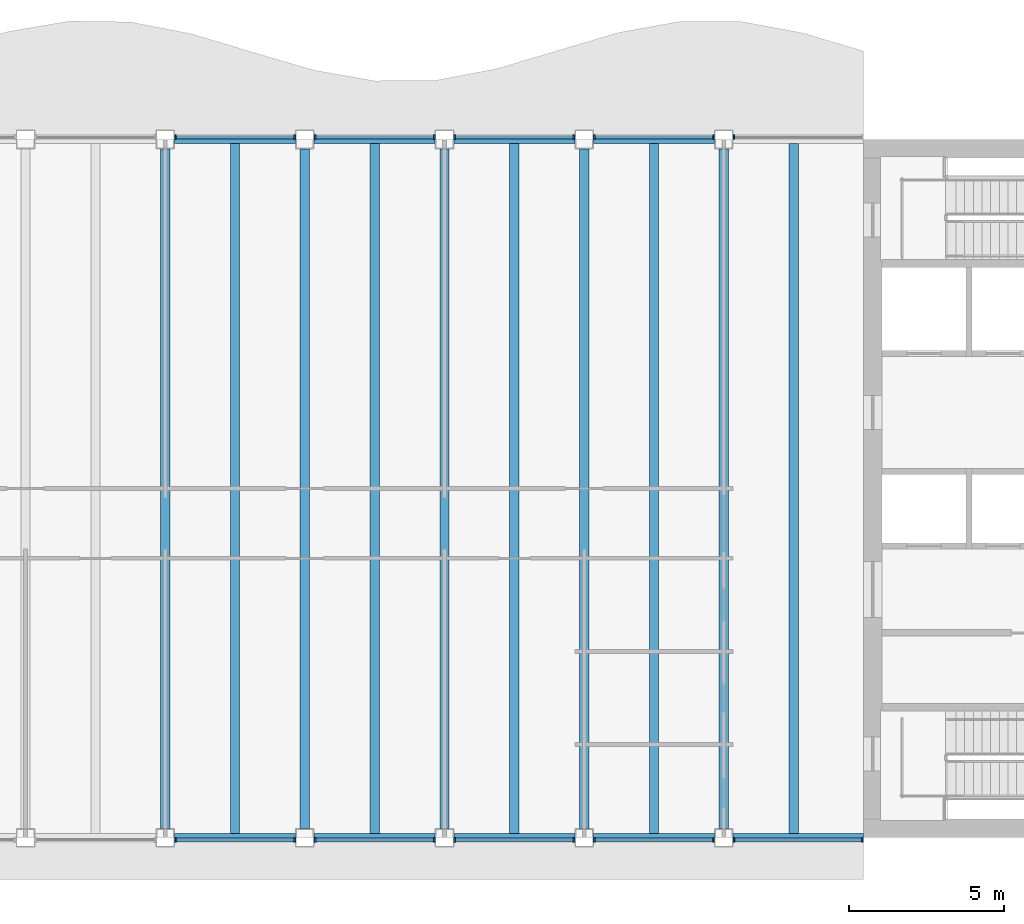
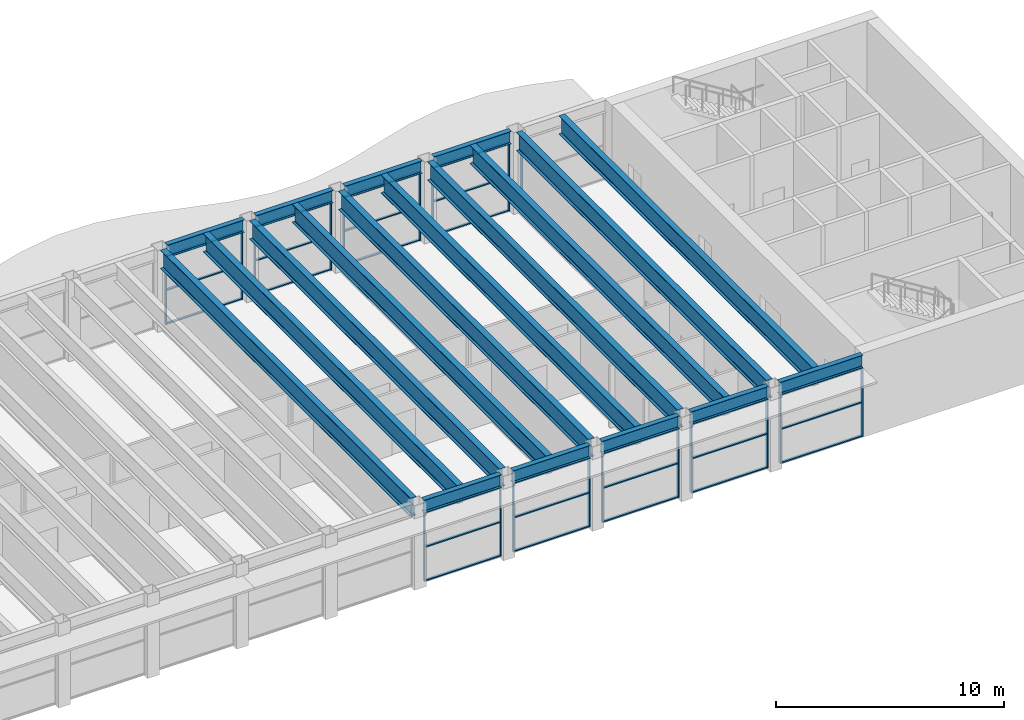
# One storey, part 5 of 14: 46 members, 19 beams, 10 elements without a shape of their own.
"""IFC4 building model written with IfcOpenShell, lengths in metres."""

from ifc_helpers import new_model, si_unit, direction, frame, origin, origin_2d, place, context, subcontext, project, spatial, rectangle, i_section, extrude, material, material_profile, profile_set, type_object, element, aggregate, save


model = new_model("IFC4")

# Units and contexts
model_context = context("Model", 3, precision=1e-05, world=origin(), true_north=direction((0.0, 1.0)))
body_context = subcontext(model_context, "Body", "Model", "MODEL_VIEW")
ifc_project = project(units=[si_unit("LENGTHUNIT", "METRE"), si_unit("AREAUNIT", "SQUARE_METRE"), si_unit("VOLUMEUNIT", "CUBIC_METRE"), si_unit("PLANEANGLEUNIT", "RADIAN"), si_unit("MASSUNIT", "GRAM", prefix="KILO")], contexts=[model_context])

# Site, building, storey
site_placement = place(None, origin())
site = spatial("IfcSite", under=ifc_project, at=site_placement, CompositionType="ELEMENT")
building_placement = place(site_placement, origin())
building = spatial("IfcBuilding", under=site, at=building_placement, Name="Sennacour Bend Tower", CompositionType="ELEMENT")
storey_placement = place(building_placement, frame((0.0, 0.0, 327.5)))
storey = spatial("IfcBuildingStorey", under=building, at=storey_placement, Name="L75", CompositionType="ELEMENT", Elevation=327.5)

# Curtain wall, members
ifc_material_1 = material(Name="Bronze anodised aluminium curtain wall with clear glass", Category="aluminium")
curtain_wall_type = type_object("IfcCurtainWallType", Name="CURTAIN WALL EXEC", PredefinedType="NOTDEFINED", material=ifc_material_1)
curtain_wall_1_placement = place(storey_placement, origin())
curtain_wall_1 = element("IfcCurtainWall", 1, at=curtain_wall_1_placement, inside=storey, type_object=curtain_wall_type, Name="Executive floor glass wall L75", PredefinedType="NOTDEFINED")
ifc_material_2 = material(Name="Aluminium 6063-T6", Category="aluminium")
ifc_material_profile_1 = material_profile(ifc_material_2, rectangle(XDim=0.14990234375, YDim=0.06005859375, at=origin_2d()), Name="Aluminium 6063-T6", Category="aluminium")
ifc_profile_set_1 = profile_set([ifc_material_profile_1], Name="Aluminium 6063-T6")
member_type_1 = type_object("IfcMemberType", Name="CW-MULLION-150X60", PredefinedType="MULLION", material=ifc_profile_set_1)
member_1_placement = place(storey_placement, frame((31.830078125, -0.074951171875, 0.0), z_axis=(0.0, 0.0, 1.0), x_axis=(0.0, 1.0, 0.0)))
member_1 = element("IfcMember", 2, at=member_1_placement, type_object=member_type_1, Name="GW3 curtain wall mullion 1", PredefinedType="MULLION", context=body_context, shape_type="SweptSolid", body=[
    extrude(rectangle(XDim=0.14990234375, YDim=0.06005859375, at=origin_2d()), origin(), (0.0, 0.0, 1.0), 3.672119140625),
])
member_2_placement = place(storey_placement, frame((35.669921875, -0.074951171875, 0.0), z_axis=(0.0, 0.0, 1.0), x_axis=(0.0, 1.0, 0.0)))
member_2 = element("IfcMember", 3, at=member_2_placement, type_object=member_type_1, Name="GW3 curtain wall mullion 2", PredefinedType="MULLION", context=body_context, shape_type="SweptSolid", body=[
    extrude(rectangle(XDim=0.14990234375, YDim=0.06005859375, at=origin_2d()), origin(), (0.0, 0.0, 1.0), 3.672119140625),
])

curtain_wall_2_placement = place(storey_placement, origin())
curtain_wall_2 = element("IfcCurtainWall", 4, at=curtain_wall_2_placement, inside=storey, type_object=curtain_wall_type, Name="Executive floor glass wall L75", PredefinedType="NOTDEFINED")
member_3_placement = place(storey_placement, frame((36.330078125, -0.074951171875, 0.0), z_axis=(0.0, 0.0, 1.0), x_axis=(0.0, 1.0, 0.0)))
member_3 = element("IfcMember", 5, at=member_3_placement, type_object=member_type_1, Name="GW3 curtain wall mullion 1", PredefinedType="MULLION", context=body_context, shape_type="SweptSolid", body=[
    extrude(rectangle(XDim=0.14990234375, YDim=0.06005859375, at=origin_2d()), origin(), (0.0, 0.0, 1.0), 3.672119140625),
])
member_4_placement = place(storey_placement, frame((40.169921875, -0.074951171875, 0.0), z_axis=(0.0, 0.0, 1.0), x_axis=(0.0, 1.0, 0.0)))
member_4 = element("IfcMember", 6, at=member_4_placement, type_object=member_type_1, Name="GW3 curtain wall mullion 2", PredefinedType="MULLION", context=body_context, shape_type="SweptSolid", body=[
    extrude(rectangle(XDim=0.14990234375, YDim=0.06005859375, at=origin_2d()), origin(), (0.0, 0.0, 1.0), 3.672119140625),
])

curtain_wall_3_placement = place(storey_placement, origin())
curtain_wall_3 = element("IfcCurtainWall", 7, at=curtain_wall_3_placement, inside=storey, type_object=curtain_wall_type, Name="Executive floor glass wall L75", PredefinedType="NOTDEFINED")
member_5_placement = place(storey_placement, frame((40.830078125, -0.074951171875, 0.0), z_axis=(0.0, 0.0, 1.0), x_axis=(0.0, 1.0, 0.0)))
member_5 = element("IfcMember", 8, at=member_5_placement, type_object=member_type_1, Name="GW3 curtain wall mullion 1", PredefinedType="MULLION", context=body_context, shape_type="SweptSolid", body=[
    extrude(rectangle(XDim=0.14990234375, YDim=0.06005859375, at=origin_2d()), origin(), (0.0, 0.0, 1.0), 3.672119140625),
])
member_6_placement = place(storey_placement, frame((44.669921875, -0.074951171875, 0.0), z_axis=(0.0, 0.0, 1.0), x_axis=(0.0, 1.0, 0.0)))
member_6 = element("IfcMember", 9, at=member_6_placement, type_object=member_type_1, Name="GW3 curtain wall mullion 2", PredefinedType="MULLION", context=body_context, shape_type="SweptSolid", body=[
    extrude(rectangle(XDim=0.14990234375, YDim=0.06005859375, at=origin_2d()), origin(), (0.0, 0.0, 1.0), 3.672119140625),
])

curtain_wall_4_placement = place(storey_placement, origin())
curtain_wall_4 = element("IfcCurtainWall", 10, at=curtain_wall_4_placement, inside=storey, type_object=curtain_wall_type, Name="Executive floor glass wall L75", PredefinedType="NOTDEFINED")
member_7_placement = place(storey_placement, frame((45.330078125, -0.074951171875, 0.0), z_axis=(0.0, 0.0, 1.0), x_axis=(0.0, 1.0, 0.0)))
member_7 = element("IfcMember", 11, at=member_7_placement, type_object=member_type_1, Name="GW3 curtain wall mullion 1", PredefinedType="MULLION", context=body_context, shape_type="SweptSolid", body=[
    extrude(rectangle(XDim=0.14990234375, YDim=0.06005859375, at=origin_2d()), origin(), (0.0, 0.0, 1.0), 3.672119140625),
])
member_8_placement = place(storey_placement, frame((49.169921875, -0.074951171875, 0.0), z_axis=(0.0, 0.0, 1.0), x_axis=(0.0, 1.0, 0.0)))
member_8 = element("IfcMember", 12, at=member_8_placement, type_object=member_type_1, Name="GW3 curtain wall mullion 2", PredefinedType="MULLION", context=body_context, shape_type="SweptSolid", body=[
    extrude(rectangle(XDim=0.14990234375, YDim=0.06005859375, at=origin_2d()), origin(), (0.0, 0.0, 1.0), 3.672119140625),
])

curtain_wall_5_placement = place(storey_placement, origin())
curtain_wall_5 = element("IfcCurtainWall", 13, at=curtain_wall_5_placement, inside=storey, type_object=curtain_wall_type, Name="Executive floor glass wall L75", PredefinedType="NOTDEFINED")
member_9_placement = place(storey_placement, frame((49.830078125, -0.074951171875, 0.0), z_axis=(0.0, 0.0, 1.0), x_axis=(0.0, 1.0, 0.0)))
member_9 = element("IfcMember", 14, at=member_9_placement, type_object=member_type_1, Name="GW3 curtain wall mullion 1", PredefinedType="MULLION", context=body_context, shape_type="SweptSolid", body=[
    extrude(rectangle(XDim=0.14990234375, YDim=0.06005859375, at=origin_2d()), origin(), (0.0, 0.0, 1.0), 3.672119140625),
])
member_10_placement = place(storey_placement, frame((53.969970703125, -0.074951171875, 0.0), z_axis=(0.0, 0.0, 1.0), x_axis=(0.0, 1.0, 0.0)))
member_10 = element("IfcMember", 15, at=member_10_placement, type_object=member_type_1, Name="GW3 curtain wall mullion 2", PredefinedType="MULLION", context=body_context, shape_type="SweptSolid", body=[
    extrude(rectangle(XDim=0.14990234375, YDim=0.06005859375, at=origin_2d()), origin(), (0.0, 0.0, 1.0), 3.672119140625),
])

# Curtain wall, member
curtain_wall_6_placement = place(storey_placement, origin())
curtain_wall_6 = element("IfcCurtainWall", 16, at=curtain_wall_6_placement, inside=storey, type_object=curtain_wall_type, Name="Executive floor glass wall L75", PredefinedType="NOTDEFINED")
member_11_placement = place(storey_placement, frame((49.830078125, 22.574951171875, 0.0), z_axis=(0.0, 0.0, 1.0), x_axis=(0.0, -1.0, 0.0)))
member_11 = element("IfcMember", 17, at=member_11_placement, type_object=member_type_1, Name="GW3 curtain wall mullion 2", PredefinedType="MULLION", context=body_context, shape_type="SweptSolid", body=[
    extrude(rectangle(XDim=0.14990234375, YDim=0.06005859375, at=origin_2d()), origin(), (0.0, 0.0, 1.0), 3.672119140625),
])
aggregate(curtain_wall_6, [member_11])

# Curtain wall, members
curtain_wall_7_placement = place(storey_placement, origin())
curtain_wall_7 = element("IfcCurtainWall", 18, at=curtain_wall_7_placement, inside=storey, type_object=curtain_wall_type, Name="Executive floor glass wall L75", PredefinedType="NOTDEFINED")
member_12_placement = place(storey_placement, frame((49.169921875, 22.574951171875, 0.0), z_axis=(0.0, 0.0, 1.0), x_axis=(0.0, -1.0, 0.0)))
member_12 = element("IfcMember", 19, at=member_12_placement, type_object=member_type_1, Name="GW3 curtain wall mullion 1", PredefinedType="MULLION", context=body_context, shape_type="SweptSolid", body=[
    extrude(rectangle(XDim=0.14990234375, YDim=0.06005859375, at=origin_2d()), origin(), (0.0, 0.0, 1.0), 3.672119140625),
])
member_13_placement = place(storey_placement, frame((45.330078125, 22.574951171875, 0.0), z_axis=(0.0, 0.0, 1.0), x_axis=(0.0, -1.0, 0.0)))
member_13 = element("IfcMember", 20, at=member_13_placement, type_object=member_type_1, Name="GW3 curtain wall mullion 2", PredefinedType="MULLION", context=body_context, shape_type="SweptSolid", body=[
    extrude(rectangle(XDim=0.14990234375, YDim=0.06005859375, at=origin_2d()), origin(), (0.0, 0.0, 1.0), 3.672119140625),
])

curtain_wall_8_placement = place(storey_placement, origin())
curtain_wall_8 = element("IfcCurtainWall", 21, at=curtain_wall_8_placement, inside=storey, type_object=curtain_wall_type, Name="Executive floor glass wall L75", PredefinedType="NOTDEFINED")
member_14_placement = place(storey_placement, frame((44.669921875, 22.574951171875, 0.0), z_axis=(0.0, 0.0, 1.0), x_axis=(0.0, -1.0, 0.0)))
member_14 = element("IfcMember", 22, at=member_14_placement, type_object=member_type_1, Name="GW3 curtain wall mullion 1", PredefinedType="MULLION", context=body_context, shape_type="SweptSolid", body=[
    extrude(rectangle(XDim=0.14990234375, YDim=0.06005859375, at=origin_2d()), origin(), (0.0, 0.0, 1.0), 3.672119140625),
])
member_15_placement = place(storey_placement, frame((40.830078125, 22.574951171875, 0.0), z_axis=(0.0, 0.0, 1.0), x_axis=(0.0, -1.0, 0.0)))
member_15 = element("IfcMember", 23, at=member_15_placement, type_object=member_type_1, Name="GW3 curtain wall mullion 2", PredefinedType="MULLION", context=body_context, shape_type="SweptSolid", body=[
    extrude(rectangle(XDim=0.14990234375, YDim=0.06005859375, at=origin_2d()), origin(), (0.0, 0.0, 1.0), 3.672119140625),
])

curtain_wall_9_placement = place(storey_placement, origin())
curtain_wall_9 = element("IfcCurtainWall", 24, at=curtain_wall_9_placement, inside=storey, type_object=curtain_wall_type, Name="Executive floor glass wall L75", PredefinedType="NOTDEFINED")
member_16_placement = place(storey_placement, frame((40.169921875, 22.574951171875, 0.0), z_axis=(0.0, 0.0, 1.0), x_axis=(0.0, -1.0, 0.0)))
member_16 = element("IfcMember", 25, at=member_16_placement, type_object=member_type_1, Name="GW3 curtain wall mullion 1", PredefinedType="MULLION", context=body_context, shape_type="SweptSolid", body=[
    extrude(rectangle(XDim=0.14990234375, YDim=0.06005859375, at=origin_2d()), origin(), (0.0, 0.0, 1.0), 3.672119140625),
])
member_17_placement = place(storey_placement, frame((36.330078125, 22.574951171875, 0.0), z_axis=(0.0, 0.0, 1.0), x_axis=(0.0, -1.0, 0.0)))
member_17 = element("IfcMember", 26, at=member_17_placement, type_object=member_type_1, Name="GW3 curtain wall mullion 2", PredefinedType="MULLION", context=body_context, shape_type="SweptSolid", body=[
    extrude(rectangle(XDim=0.14990234375, YDim=0.06005859375, at=origin_2d()), origin(), (0.0, 0.0, 1.0), 3.672119140625),
])

curtain_wall_10_placement = place(storey_placement, origin())
curtain_wall_10 = element("IfcCurtainWall", 27, at=curtain_wall_10_placement, inside=storey, type_object=curtain_wall_type, Name="Executive floor glass wall L75", PredefinedType="NOTDEFINED")
member_18_placement = place(storey_placement, frame((35.669921875, 22.574951171875, 0.0), z_axis=(0.0, 0.0, 1.0), x_axis=(0.0, -1.0, 0.0)))
member_18 = element("IfcMember", 28, at=member_18_placement, type_object=member_type_1, Name="GW3 curtain wall mullion 1", PredefinedType="MULLION", context=body_context, shape_type="SweptSolid", body=[
    extrude(rectangle(XDim=0.14990234375, YDim=0.06005859375, at=origin_2d()), origin(), (0.0, 0.0, 1.0), 3.672119140625),
])
member_19_placement = place(storey_placement, frame((31.830078125, 22.574951171875, 0.0), z_axis=(0.0, 0.0, 1.0), x_axis=(0.0, -1.0, 0.0)))
member_19 = element("IfcMember", 29, at=member_19_placement, type_object=member_type_1, Name="GW3 curtain wall mullion 2", PredefinedType="MULLION", context=body_context, shape_type="SweptSolid", body=[
    extrude(rectangle(XDim=0.14990234375, YDim=0.06005859375, at=origin_2d()), origin(), (0.0, 0.0, 1.0), 3.672119140625),
])

# Member
ifc_material_profile_2 = material_profile(ifc_material_2, rectangle(XDim=0.1201171875, YDim=0.06005859375, at=origin_2d()), Name="Aluminium 6063-T6", Category="aluminium")
ifc_profile_set_2 = profile_set([ifc_material_profile_2], Name="Aluminium 6063-T6")
member_type_2 = type_object("IfcMemberType", Name="CW-TRANSOM-120X60", PredefinedType="USERDEFINED", material=ifc_profile_set_2)
member_20_placement = place(storey_placement, frame((31.860107421875, -0.074951171875, 0.030029296875), z_axis=(1.0, 0.0, 0.0), x_axis=(0.0, 1.0, 0.0)))
member_20 = element("IfcMember", 30, at=member_20_placement, type_object=member_type_2, Name="GW3 curtain wall transom 1.1", ObjectType="TRANSOM", PredefinedType="USERDEFINED", context=body_context, shape_type="SweptSolid", body=[
    extrude(rectangle(XDim=0.1201171875, YDim=0.06005859375, at=origin_2d()), origin(), (0.0, 0.0, 1.0), 3.77978515625),
])

member_21_placement = place(storey_placement, frame((31.860107421875, -0.074951171875, 1.8359375), z_axis=(1.0, 0.0, 0.0), x_axis=(0.0, 1.0, 0.0)))
member_21 = element("IfcMember", 31, at=member_21_placement, type_object=member_type_2, Name="GW3 curtain wall transom 1.2", ObjectType="TRANSOM", PredefinedType="USERDEFINED", context=body_context, shape_type="SweptSolid", body=[
    extrude(rectangle(XDim=0.1201171875, YDim=0.06005859375, at=origin_2d()), origin(), (0.0, 0.0, 1.0), 3.77978515625),
])

member_22_placement = place(storey_placement, frame((31.860107421875, -0.074951171875, 3.64208984375), z_axis=(1.0, 0.0, 0.0), x_axis=(0.0, 1.0, 0.0)))
member_22 = element("IfcMember", 32, at=member_22_placement, type_object=member_type_2, Name="GW3 curtain wall transom 1.3", ObjectType="TRANSOM", PredefinedType="USERDEFINED", context=body_context, shape_type="SweptSolid", body=[
    extrude(rectangle(XDim=0.1201171875, YDim=0.06005859375, at=origin_2d()), origin(), (0.0, 0.0, 1.0), 3.77978515625),
])

aggregate(curtain_wall_1, [member_1, member_2, member_20, member_21, member_22])

member_23_placement = place(storey_placement, frame((36.360107421875, -0.074951171875, 0.030029296875), z_axis=(1.0, 0.0, 0.0), x_axis=(0.0, 1.0, 0.0)))
member_23 = element("IfcMember", 33, at=member_23_placement, type_object=member_type_2, Name="GW3 curtain wall transom 1.1", ObjectType="TRANSOM", PredefinedType="USERDEFINED", context=body_context, shape_type="SweptSolid", body=[
    extrude(rectangle(XDim=0.1201171875, YDim=0.06005859375, at=origin_2d()), origin(), (0.0, 0.0, 1.0), 3.77978515625),
])

member_24_placement = place(storey_placement, frame((36.360107421875, -0.074951171875, 1.8359375), z_axis=(1.0, 0.0, 0.0), x_axis=(0.0, 1.0, 0.0)))
member_24 = element("IfcMember", 34, at=member_24_placement, type_object=member_type_2, Name="GW3 curtain wall transom 1.2", ObjectType="TRANSOM", PredefinedType="USERDEFINED", context=body_context, shape_type="SweptSolid", body=[
    extrude(rectangle(XDim=0.1201171875, YDim=0.06005859375, at=origin_2d()), origin(), (0.0, 0.0, 1.0), 3.77978515625),
])

member_25_placement = place(storey_placement, frame((36.360107421875, -0.074951171875, 3.64208984375), z_axis=(1.0, 0.0, 0.0), x_axis=(0.0, 1.0, 0.0)))
member_25 = element("IfcMember", 35, at=member_25_placement, type_object=member_type_2, Name="GW3 curtain wall transom 1.3", ObjectType="TRANSOM", PredefinedType="USERDEFINED", context=body_context, shape_type="SweptSolid", body=[
    extrude(rectangle(XDim=0.1201171875, YDim=0.06005859375, at=origin_2d()), origin(), (0.0, 0.0, 1.0), 3.77978515625),
])

aggregate(curtain_wall_2, [member_3, member_4, member_23, member_24, member_25])

member_26_placement = place(storey_placement, frame((40.860107421875, -0.074951171875, 0.030029296875), z_axis=(1.0, 0.0, 0.0), x_axis=(0.0, 1.0, 0.0)))
member_26 = element("IfcMember", 36, at=member_26_placement, type_object=member_type_2, Name="GW3 curtain wall transom 1.1", ObjectType="TRANSOM", PredefinedType="USERDEFINED", context=body_context, shape_type="SweptSolid", body=[
    extrude(rectangle(XDim=0.1201171875, YDim=0.06005859375, at=origin_2d()), origin(), (0.0, 0.0, 1.0), 3.77978515625),
])

member_27_placement = place(storey_placement, frame((40.860107421875, -0.074951171875, 1.8359375), z_axis=(1.0, 0.0, 0.0), x_axis=(0.0, 1.0, 0.0)))
member_27 = element("IfcMember", 37, at=member_27_placement, type_object=member_type_2, Name="GW3 curtain wall transom 1.2", ObjectType="TRANSOM", PredefinedType="USERDEFINED", context=body_context, shape_type="SweptSolid", body=[
    extrude(rectangle(XDim=0.1201171875, YDim=0.06005859375, at=origin_2d()), origin(), (0.0, 0.0, 1.0), 3.77978515625),
])

member_28_placement = place(storey_placement, frame((40.860107421875, -0.074951171875, 3.64208984375), z_axis=(1.0, 0.0, 0.0), x_axis=(0.0, 1.0, 0.0)))
member_28 = element("IfcMember", 38, at=member_28_placement, type_object=member_type_2, Name="GW3 curtain wall transom 1.3", ObjectType="TRANSOM", PredefinedType="USERDEFINED", context=body_context, shape_type="SweptSolid", body=[
    extrude(rectangle(XDim=0.1201171875, YDim=0.06005859375, at=origin_2d()), origin(), (0.0, 0.0, 1.0), 3.77978515625),
])

aggregate(curtain_wall_3, [member_5, member_6, member_26, member_27, member_28])

member_29_placement = place(storey_placement, frame((45.360107421875, -0.074951171875, 0.030029296875), z_axis=(1.0, 0.0, 0.0), x_axis=(0.0, 1.0, 0.0)))
member_29 = element("IfcMember", 39, at=member_29_placement, type_object=member_type_2, Name="GW3 curtain wall transom 1.1", ObjectType="TRANSOM", PredefinedType="USERDEFINED", context=body_context, shape_type="SweptSolid", body=[
    extrude(rectangle(XDim=0.1201171875, YDim=0.06005859375, at=origin_2d()), origin(), (0.0, 0.0, 1.0), 3.77978515625),
])

member_30_placement = place(storey_placement, frame((45.360107421875, -0.074951171875, 1.8359375), z_axis=(1.0, 0.0, 0.0), x_axis=(0.0, 1.0, 0.0)))
member_30 = element("IfcMember", 40, at=member_30_placement, type_object=member_type_2, Name="GW3 curtain wall transom 1.2", ObjectType="TRANSOM", PredefinedType="USERDEFINED", context=body_context, shape_type="SweptSolid", body=[
    extrude(rectangle(XDim=0.1201171875, YDim=0.06005859375, at=origin_2d()), origin(), (0.0, 0.0, 1.0), 3.77978515625),
])

member_31_placement = place(storey_placement, frame((45.360107421875, -0.074951171875, 3.64208984375), z_axis=(1.0, 0.0, 0.0), x_axis=(0.0, 1.0, 0.0)))
member_31 = element("IfcMember", 41, at=member_31_placement, type_object=member_type_2, Name="GW3 curtain wall transom 1.3", ObjectType="TRANSOM", PredefinedType="USERDEFINED", context=body_context, shape_type="SweptSolid", body=[
    extrude(rectangle(XDim=0.1201171875, YDim=0.06005859375, at=origin_2d()), origin(), (0.0, 0.0, 1.0), 3.77978515625),
])

aggregate(curtain_wall_4, [member_7, member_8, member_29, member_30, member_31])

member_32_placement = place(storey_placement, frame((49.860107421875, -0.074951171875, 0.030029296875), z_axis=(1.0, 0.0, 0.0), x_axis=(0.0, 1.0, 0.0)))
member_32 = element("IfcMember", 42, at=member_32_placement, type_object=member_type_2, Name="GW3 curtain wall transom 1.1", ObjectType="TRANSOM", PredefinedType="USERDEFINED", context=body_context, shape_type="SweptSolid", body=[
    extrude(rectangle(XDim=0.1201171875, YDim=0.06005859375, at=origin_2d()), origin(), (0.0, 0.0, 1.0), 4.079833984375),
])

member_33_placement = place(storey_placement, frame((49.860107421875, -0.074951171875, 1.8359375), z_axis=(1.0, 0.0, 0.0), x_axis=(0.0, 1.0, 0.0)))
member_33 = element("IfcMember", 43, at=member_33_placement, type_object=member_type_2, Name="GW3 curtain wall transom 1.2", ObjectType="TRANSOM", PredefinedType="USERDEFINED", context=body_context, shape_type="SweptSolid", body=[
    extrude(rectangle(XDim=0.1201171875, YDim=0.06005859375, at=origin_2d()), origin(), (0.0, 0.0, 1.0), 4.079833984375),
])

member_34_placement = place(storey_placement, frame((49.860107421875, -0.074951171875, 3.64208984375), z_axis=(1.0, 0.0, 0.0), x_axis=(0.0, 1.0, 0.0)))
member_34 = element("IfcMember", 44, at=member_34_placement, type_object=member_type_2, Name="GW3 curtain wall transom 1.3", ObjectType="TRANSOM", PredefinedType="USERDEFINED", context=body_context, shape_type="SweptSolid", body=[
    extrude(rectangle(XDim=0.1201171875, YDim=0.06005859375, at=origin_2d()), origin(), (0.0, 0.0, 1.0), 4.079833984375),
])

aggregate(curtain_wall_5, [member_9, member_10, member_32, member_33, member_34])

member_35_placement = place(storey_placement, frame((49.139892578125, 22.574951171875, 0.030029296875), z_axis=(-1.0, 0.0, 0.0), x_axis=(0.0, -1.0, 0.0)))
member_35 = element("IfcMember", 45, at=member_35_placement, type_object=member_type_2, Name="GW3 curtain wall transom 1.1", ObjectType="TRANSOM", PredefinedType="USERDEFINED", context=body_context, shape_type="SweptSolid", body=[
    extrude(rectangle(XDim=0.1201171875, YDim=0.06005859375, at=origin_2d()), origin(), (0.0, 0.0, 1.0), 3.77978515625),
])

member_36_placement = place(storey_placement, frame((49.139892578125, 22.574951171875, 1.8359375), z_axis=(-1.0, 0.0, 0.0), x_axis=(0.0, -1.0, 0.0)))
member_36 = element("IfcMember", 46, at=member_36_placement, type_object=member_type_2, Name="GW3 curtain wall transom 1.2", ObjectType="TRANSOM", PredefinedType="USERDEFINED", context=body_context, shape_type="SweptSolid", body=[
    extrude(rectangle(XDim=0.1201171875, YDim=0.06005859375, at=origin_2d()), origin(), (0.0, 0.0, 1.0), 3.77978515625),
])

member_37_placement = place(storey_placement, frame((49.139892578125, 22.574951171875, 3.64208984375), z_axis=(-1.0, 0.0, 0.0), x_axis=(0.0, -1.0, 0.0)))
member_37 = element("IfcMember", 47, at=member_37_placement, type_object=member_type_2, Name="GW3 curtain wall transom 1.3", ObjectType="TRANSOM", PredefinedType="USERDEFINED", context=body_context, shape_type="SweptSolid", body=[
    extrude(rectangle(XDim=0.1201171875, YDim=0.06005859375, at=origin_2d()), origin(), (0.0, 0.0, 1.0), 3.77978515625),
])

aggregate(curtain_wall_7, [member_12, member_13, member_35, member_36, member_37])

member_38_placement = place(storey_placement, frame((44.639892578125, 22.574951171875, 0.030029296875), z_axis=(-1.0, 0.0, 0.0), x_axis=(0.0, -1.0, 0.0)))
member_38 = element("IfcMember", 48, at=member_38_placement, type_object=member_type_2, Name="GW3 curtain wall transom 1.1", ObjectType="TRANSOM", PredefinedType="USERDEFINED", context=body_context, shape_type="SweptSolid", body=[
    extrude(rectangle(XDim=0.1201171875, YDim=0.06005859375, at=origin_2d()), origin(), (0.0, 0.0, 1.0), 3.77978515625),
])

member_39_placement = place(storey_placement, frame((44.639892578125, 22.574951171875, 1.8359375), z_axis=(-1.0, 0.0, 0.0), x_axis=(0.0, -1.0, 0.0)))
member_39 = element("IfcMember", 49, at=member_39_placement, type_object=member_type_2, Name="GW3 curtain wall transom 1.2", ObjectType="TRANSOM", PredefinedType="USERDEFINED", context=body_context, shape_type="SweptSolid", body=[
    extrude(rectangle(XDim=0.1201171875, YDim=0.06005859375, at=origin_2d()), origin(), (0.0, 0.0, 1.0), 3.77978515625),
])

member_40_placement = place(storey_placement, frame((44.639892578125, 22.574951171875, 3.64208984375), z_axis=(-1.0, 0.0, 0.0), x_axis=(0.0, -1.0, 0.0)))
member_40 = element("IfcMember", 50, at=member_40_placement, type_object=member_type_2, Name="GW3 curtain wall transom 1.3", ObjectType="TRANSOM", PredefinedType="USERDEFINED", context=body_context, shape_type="SweptSolid", body=[
    extrude(rectangle(XDim=0.1201171875, YDim=0.06005859375, at=origin_2d()), origin(), (0.0, 0.0, 1.0), 3.77978515625),
])

aggregate(curtain_wall_8, [member_14, member_15, member_38, member_39, member_40])

member_41_placement = place(storey_placement, frame((40.139892578125, 22.574951171875, 0.030029296875), z_axis=(-1.0, 0.0, 0.0), x_axis=(0.0, -1.0, 0.0)))
member_41 = element("IfcMember", 51, at=member_41_placement, type_object=member_type_2, Name="GW3 curtain wall transom 1.1", ObjectType="TRANSOM", PredefinedType="USERDEFINED", context=body_context, shape_type="SweptSolid", body=[
    extrude(rectangle(XDim=0.1201171875, YDim=0.06005859375, at=origin_2d()), origin(), (0.0, 0.0, 1.0), 3.77978515625),
])

member_42_placement = place(storey_placement, frame((40.139892578125, 22.574951171875, 1.8359375), z_axis=(-1.0, 0.0, 0.0), x_axis=(0.0, -1.0, 0.0)))
member_42 = element("IfcMember", 52, at=member_42_placement, type_object=member_type_2, Name="GW3 curtain wall transom 1.2", ObjectType="TRANSOM", PredefinedType="USERDEFINED", context=body_context, shape_type="SweptSolid", body=[
    extrude(rectangle(XDim=0.1201171875, YDim=0.06005859375, at=origin_2d()), origin(), (0.0, 0.0, 1.0), 3.77978515625),
])

member_43_placement = place(storey_placement, frame((40.139892578125, 22.574951171875, 3.64208984375), z_axis=(-1.0, 0.0, 0.0), x_axis=(0.0, -1.0, 0.0)))
member_43 = element("IfcMember", 53, at=member_43_placement, type_object=member_type_2, Name="GW3 curtain wall transom 1.3", ObjectType="TRANSOM", PredefinedType="USERDEFINED", context=body_context, shape_type="SweptSolid", body=[
    extrude(rectangle(XDim=0.1201171875, YDim=0.06005859375, at=origin_2d()), origin(), (0.0, 0.0, 1.0), 3.77978515625),
])

aggregate(curtain_wall_9, [member_16, member_17, member_41, member_42, member_43])

member_44_placement = place(storey_placement, frame((35.639892578125, 22.574951171875, 0.030029296875), z_axis=(-1.0, 0.0, 0.0), x_axis=(0.0, -1.0, 0.0)))
member_44 = element("IfcMember", 54, at=member_44_placement, type_object=member_type_2, Name="GW3 curtain wall transom 1.1", ObjectType="TRANSOM", PredefinedType="USERDEFINED", context=body_context, shape_type="SweptSolid", body=[
    extrude(rectangle(XDim=0.1201171875, YDim=0.06005859375, at=origin_2d()), origin(), (0.0, 0.0, 1.0), 3.77978515625),
])

member_45_placement = place(storey_placement, frame((35.639892578125, 22.574951171875, 1.8359375), z_axis=(-1.0, 0.0, 0.0), x_axis=(0.0, -1.0, 0.0)))
member_45 = element("IfcMember", 55, at=member_45_placement, type_object=member_type_2, Name="GW3 curtain wall transom 1.2", ObjectType="TRANSOM", PredefinedType="USERDEFINED", context=body_context, shape_type="SweptSolid", body=[
    extrude(rectangle(XDim=0.1201171875, YDim=0.06005859375, at=origin_2d()), origin(), (0.0, 0.0, 1.0), 3.77978515625),
])

member_46_placement = place(storey_placement, frame((35.639892578125, 22.574951171875, 3.64208984375), z_axis=(-1.0, 0.0, 0.0), x_axis=(0.0, -1.0, 0.0)))
member_46 = element("IfcMember", 56, at=member_46_placement, type_object=member_type_2, Name="GW3 curtain wall transom 1.3", ObjectType="TRANSOM", PredefinedType="USERDEFINED", context=body_context, shape_type="SweptSolid", body=[
    extrude(rectangle(XDim=0.1201171875, YDim=0.06005859375, at=origin_2d()), origin(), (0.0, 0.0, 1.0), 3.77978515625),
])

aggregate(curtain_wall_10, [member_18, member_19, member_44, member_45, member_46])

# Beams
ifc_material_3 = material(Name="Steel ASTM A992 Grade 50", Category="steel")
ifc_material_profile_3 = material_profile(ifc_material_3, i_section(OverallWidth=0.300048828125, OverallDepth=0.990966796875, WebThickness=0.0166015625, FlangeThickness=0.030517578125, FilletRadius=0.030029296875, at=origin_2d()), Name="Steel ASTM A992 Grade 50", Category="steel")
ifc_profile_set_3 = profile_set([ifc_material_profile_3], Name="Steel ASTM A992 Grade 50")
beam_type_1 = type_object("IfcBeamType", Name="Floor beam W1000X272", PredefinedType="BEAM", material=ifc_profile_set_3)
beam_1_placement = place(storey_placement, frame((31.5, 0.300048828125, 3.8544921875), z_axis=(0.0, 1.0, 0.0), x_axis=(-1.0, 0.0, 0.0)))
element("IfcBeam", 57, at=beam_1_placement, inside=storey, type_object=beam_type_1, Name="Floor beam FBM3 L76-014", PredefinedType="BEAM", context=body_context, shape_type="SweptSolid", body=[
    extrude(i_section(OverallWidth=0.300048828125, OverallDepth=0.990966796875, WebThickness=0.0166015625, FlangeThickness=0.030517578125, FilletRadius=0.030029296875, at=origin_2d()), origin(), (0.0, 0.0, 1.0), 21.89990234375),
])
beam_2_placement = place(storey_placement, frame((33.75, 0.126953125, 3.8544921875), z_axis=(0.0, 1.0, 0.0), x_axis=(-1.0, 0.0, 0.0)))
element("IfcBeam", 58, at=beam_2_placement, inside=storey, type_object=beam_type_1, Name="Floor beam FBM3 L76-015", PredefinedType="BEAM", context=body_context, shape_type="SweptSolid", body=[
    extrude(i_section(OverallWidth=0.300048828125, OverallDepth=0.990966796875, WebThickness=0.0166015625, FlangeThickness=0.030517578125, FilletRadius=0.030029296875, at=origin_2d()), origin(), (0.0, 0.0, 1.0), 22.24609375),
])
beam_3_placement = place(storey_placement, frame((36.0, 0.300048828125, 3.8544921875), z_axis=(0.0, 1.0, 0.0), x_axis=(-1.0, 0.0, 0.0)))
element("IfcBeam", 59, at=beam_3_placement, inside=storey, type_object=beam_type_1, Name="Floor beam FBM3 L76-016", PredefinedType="BEAM", context=body_context, shape_type="SweptSolid", body=[
    extrude(i_section(OverallWidth=0.300048828125, OverallDepth=0.990966796875, WebThickness=0.0166015625, FlangeThickness=0.030517578125, FilletRadius=0.030029296875, at=origin_2d()), origin(), (0.0, 0.0, 1.0), 21.89990234375),
])
beam_4_placement = place(storey_placement, frame((38.25, 0.126953125, 3.8544921875), z_axis=(0.0, 1.0, 0.0), x_axis=(-1.0, 0.0, 0.0)))
element("IfcBeam", 60, at=beam_4_placement, inside=storey, type_object=beam_type_1, Name="Floor beam FBM3 L76-017", PredefinedType="BEAM", context=body_context, shape_type="SweptSolid", body=[
    extrude(i_section(OverallWidth=0.300048828125, OverallDepth=0.990966796875, WebThickness=0.0166015625, FlangeThickness=0.030517578125, FilletRadius=0.030029296875, at=origin_2d()), origin(), (0.0, 0.0, 1.0), 22.24609375),
])
beam_5_placement = place(storey_placement, frame((40.5, 0.300048828125, 3.8544921875), z_axis=(0.0, 1.0, 0.0), x_axis=(-1.0, 0.0, 0.0)))
element("IfcBeam", 61, at=beam_5_placement, inside=storey, type_object=beam_type_1, Name="Floor beam FBM3 L76-018", PredefinedType="BEAM", context=body_context, shape_type="SweptSolid", body=[
    extrude(i_section(OverallWidth=0.300048828125, OverallDepth=0.990966796875, WebThickness=0.0166015625, FlangeThickness=0.030517578125, FilletRadius=0.030029296875, at=origin_2d()), origin(), (0.0, 0.0, 1.0), 21.89990234375),
])
beam_6_placement = place(storey_placement, frame((42.75, 0.126953125, 3.8544921875), z_axis=(0.0, 1.0, 0.0), x_axis=(-1.0, 0.0, 0.0)))
element("IfcBeam", 62, at=beam_6_placement, inside=storey, type_object=beam_type_1, Name="Floor beam FBM3 L76-019", PredefinedType="BEAM", context=body_context, shape_type="SweptSolid", body=[
    extrude(i_section(OverallWidth=0.300048828125, OverallDepth=0.990966796875, WebThickness=0.0166015625, FlangeThickness=0.030517578125, FilletRadius=0.030029296875, at=origin_2d()), origin(), (0.0, 0.0, 1.0), 22.24609375),
])
beam_7_placement = place(storey_placement, frame((45.0, 0.300048828125, 3.8544921875), z_axis=(0.0, 1.0, 0.0), x_axis=(-1.0, 0.0, 0.0)))
element("IfcBeam", 63, at=beam_7_placement, inside=storey, type_object=beam_type_1, Name="Floor beam FBM3 L76-020", PredefinedType="BEAM", context=body_context, shape_type="SweptSolid", body=[
    extrude(i_section(OverallWidth=0.300048828125, OverallDepth=0.990966796875, WebThickness=0.0166015625, FlangeThickness=0.030517578125, FilletRadius=0.030029296875, at=origin_2d()), origin(), (0.0, 0.0, 1.0), 21.89990234375),
])
beam_8_placement = place(storey_placement, frame((47.25, 0.126953125, 3.8544921875), z_axis=(0.0, 1.0, 0.0), x_axis=(-1.0, 0.0, 0.0)))
element("IfcBeam", 64, at=beam_8_placement, inside=storey, type_object=beam_type_1, Name="Floor beam FBM3 L76-021", PredefinedType="BEAM", context=body_context, shape_type="SweptSolid", body=[
    extrude(i_section(OverallWidth=0.300048828125, OverallDepth=0.990966796875, WebThickness=0.0166015625, FlangeThickness=0.030517578125, FilletRadius=0.030029296875, at=origin_2d()), origin(), (0.0, 0.0, 1.0), 22.24609375),
])
beam_9_placement = place(storey_placement, frame((49.5, 0.300048828125, 3.8544921875), z_axis=(0.0, 1.0, 0.0), x_axis=(-1.0, 0.0, 0.0)))
element("IfcBeam", 65, at=beam_9_placement, inside=storey, type_object=beam_type_1, Name="Floor beam FBM3 L76-022", PredefinedType="BEAM", context=body_context, shape_type="SweptSolid", body=[
    extrude(i_section(OverallWidth=0.300048828125, OverallDepth=0.990966796875, WebThickness=0.0166015625, FlangeThickness=0.030517578125, FilletRadius=0.030029296875, at=origin_2d()), origin(), (0.0, 0.0, 1.0), 21.89990234375),
])
beam_10_placement = place(storey_placement, frame((51.75, 0.126953125, 3.8544921875), z_axis=(0.0, 1.0, 0.0), x_axis=(-1.0, 0.0, 0.0)))
element("IfcBeam", 66, at=beam_10_placement, inside=storey, type_object=beam_type_1, Name="Floor beam FBM3 L76-023", PredefinedType="BEAM", context=body_context, shape_type="SweptSolid", body=[
    extrude(i_section(OverallWidth=0.300048828125, OverallDepth=0.990966796875, WebThickness=0.0166015625, FlangeThickness=0.030517578125, FilletRadius=0.030029296875, at=origin_2d()), origin(), (0.0, 0.0, 1.0), 22.24609375),
])
ifc_material_profile_4 = material_profile(ifc_material_3, i_section(OverallWidth=0.25390625, OverallDepth=0.677978515625, WebThickness=0.01171875, FlangeThickness=0.016357421875, FilletRadius=0.01513671875, at=origin_2d()), Name="Steel ASTM A992 Grade 50", Category="steel")
ifc_profile_set_4 = profile_set([ifc_material_profile_4], Name="Steel ASTM A992 Grade 50")
beam_type_2 = type_object("IfcBeamType", Name="Spandrel beam W690X125", PredefinedType="SPANDREL", material=ifc_profile_set_4)
for number, where, z_axis, x_axis, name in (
    (67, (31.800048828125, 22.5, 4.010986328125), (1.0, 0.0, 0.0), (0.0, 1.0, 0.0), "Spandrel beam SP7 L76-013"),
    (68, (36.300048828125, 22.5, 4.010986328125), (1.0, 0.0, 0.0), (0.0, 1.0, 0.0), "Spandrel beam SP7 L76-014"),
    (69, (40.800048828125, 22.5, 4.010986328125), (1.0, 0.0, 0.0), (0.0, 1.0, 0.0), "Spandrel beam SP7 L76-015"),
    (70, (45.300048828125, 22.5, 4.010986328125), (1.0, 0.0, 0.0), (0.0, 1.0, 0.0), "Spandrel beam SP7 L76-016"),
):
    element("IfcBeam", number, at=place(storey_placement, frame(where, z_axis=z_axis, x_axis=x_axis)), inside=storey, type_object=beam_type_2, Name=name, PredefinedType="SPANDREL", context=body_context, shape_type="SweptSolid", body=[
        extrude(i_section(OverallWidth=0.25390625, OverallDepth=0.677978515625, WebThickness=0.01171875, FlangeThickness=0.016357421875, FilletRadius=0.01513671875, at=origin_2d()), origin(), (0.0, 0.0, 1.0), 3.89990234375),
    ])
beam_11_placement = place(storey_placement, frame((54.0, 0.0, 4.010986328125), z_axis=(-1.0, 0.0, 0.0), x_axis=(0.0, -1.0, 0.0)))
element("IfcBeam", 71, at=beam_11_placement, inside=storey, type_object=beam_type_2, Name="Spandrel beam SP7 L76-018", PredefinedType="SPANDREL", context=body_context, shape_type="SweptSolid", body=[
    extrude(i_section(OverallWidth=0.25390625, OverallDepth=0.677978515625, WebThickness=0.01171875, FlangeThickness=0.016357421875, FilletRadius=0.01513671875, at=origin_2d()), origin(), (0.0, 0.0, 1.0), 4.199951171875),
])
for number, where, z_axis, x_axis, name in (
    (72, (49.199951171875, 0.0, 4.010986328125), (-1.0, 0.0, 0.0), (0.0, -1.0, 0.0), "Spandrel beam SP7 L76-019"),
    (73, (44.699951171875, 0.0, 4.010986328125), (-1.0, 0.0, 0.0), (0.0, -1.0, 0.0), "Spandrel beam SP7 L76-020"),
    (74, (40.199951171875, 0.0, 4.010986328125), (-1.0, 0.0, 0.0), (0.0, -1.0, 0.0), "Spandrel beam SP7 L76-021"),
    (75, (35.699951171875, 0.0, 4.010986328125), (-1.0, 0.0, 0.0), (0.0, -1.0, 0.0), "Spandrel beam SP7 L76-022"),
):
    element("IfcBeam", number, at=place(storey_placement, frame(where, z_axis=z_axis, x_axis=x_axis)), inside=storey, type_object=beam_type_2, Name=name, PredefinedType="SPANDREL", context=body_context, shape_type="SweptSolid", body=[
        extrude(i_section(OverallWidth=0.25390625, OverallDepth=0.677978515625, WebThickness=0.01171875, FlangeThickness=0.016357421875, FilletRadius=0.01513671875, at=origin_2d()), origin(), (0.0, 0.0, 1.0), 3.89990234375),
    ])

save(model, "model.ifc")
